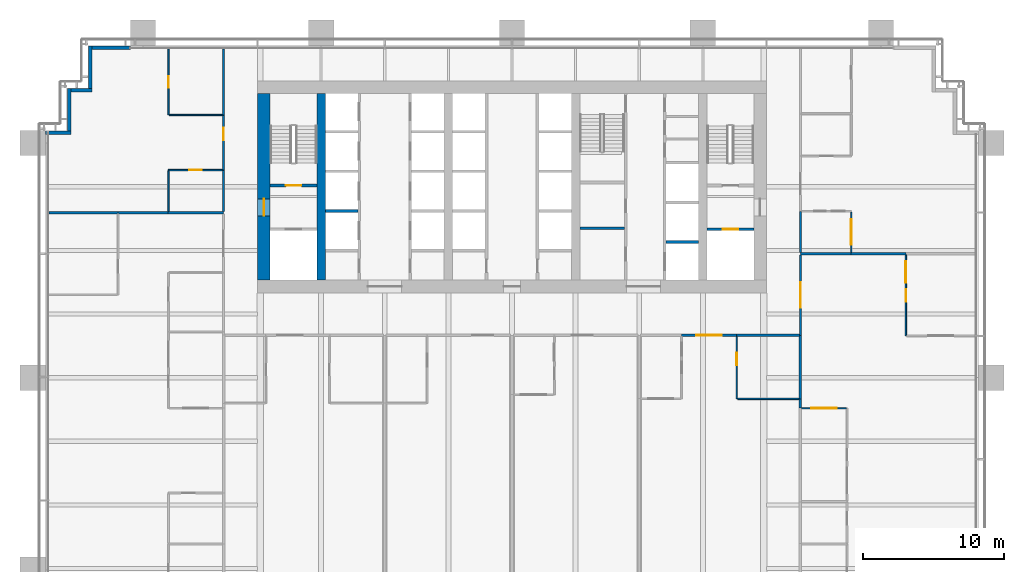
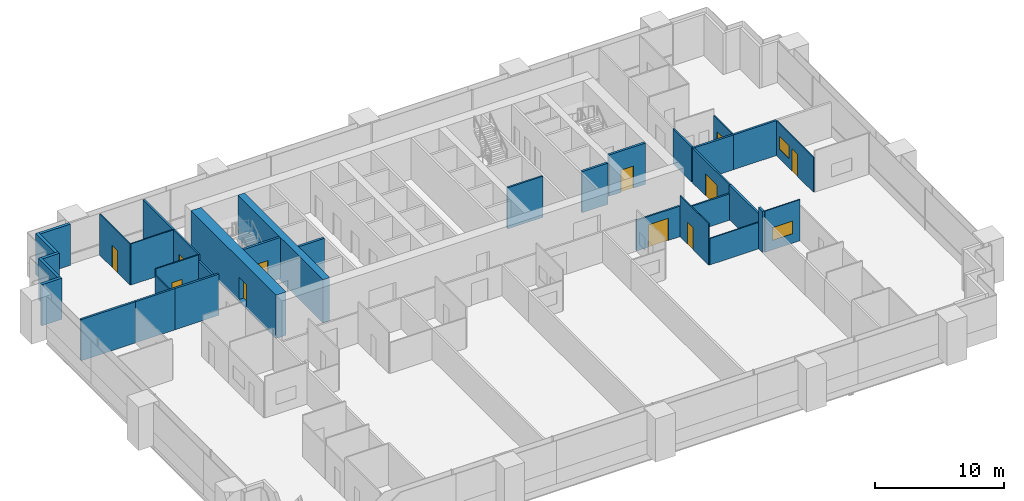
# One storey, part 13 of 20: 35 walls, 10 doors, 3 windows, 13 openings.
"""IFC4 building model written with IfcOpenShell, lengths in metres."""

from ifc_helpers import new_model, si_unit, direction, frame, frame_2d, origin, place, context, subcontext, project, spatial, rectangle, extrude, material, layer, layer_set, type_object, element, fill, save


model = new_model("IFC4")

# Units and contexts
model_context = context("Model", 3, precision=1e-05, world=origin(), true_north=direction((0.0, 1.0)))
body_context = subcontext(model_context, "Body", "Model", "MODEL_VIEW")
ifc_project = project(units=[si_unit("LENGTHUNIT", "METRE"), si_unit("AREAUNIT", "SQUARE_METRE"), si_unit("VOLUMEUNIT", "CUBIC_METRE"), si_unit("PLANEANGLEUNIT", "RADIAN"), si_unit("MASSUNIT", "GRAM", prefix="KILO")], contexts=[model_context])

# Site, building, storey
site_placement = place(None, origin())
site = spatial("IfcSite", under=ifc_project, at=site_placement, CompositionType="ELEMENT")
building_placement = place(site_placement, origin())
building = spatial("IfcBuilding", under=site, at=building_placement, Name="Rattan Terrace Tower", CompositionType="ELEMENT")
storey_placement = place(building_placement, frame((0.0, 0.0, 40.60009765625)))
storey = spatial("IfcBuildingStorey", under=building, at=storey_placement, Name="L08", CompositionType="ELEMENT", Elevation=40.60009765625)

# Wall
ifc_material_1 = material(Name="Gypsum board partition")
ifc_layer_1 = layer(ifc_material_1, 0.14990234375)
ifc_layer_set_1 = layer_set([ifc_layer_1], Name="Core partition 150")
wall_type_1 = type_object("IfcWallType", Name="Core partition 150", PredefinedType="PARTITIONING", material=ifc_layer_set_1)
wall_1_placement = place(storey_placement, frame((4.800048828125, -2.927978515625, 0.0), z_axis=(0.0, 0.0, 1.0), x_axis=(1.0, 0.0, 0.0)))
element("IfcWall", 1, at=wall_1_placement, inside=storey, type_object=wall_type_1, Name="Toilet wall", PredefinedType="PARTITIONING", context=body_context, shape_type="SweptSolid", body=[
    extrude(rectangle(XDim=3.14990234375, YDim=0.14990234375, at=frame_2d((1.574951171875, 0.0))), origin(), (0.0, 0.0, 1.0), 3.89990234375),
])

# Wall, opening, door
ifc_material_2 = material(Name="Gypsum board partition")
ifc_layer_2 = layer(ifc_material_2, 0.199951171875)
ifc_layer_set_2 = layer_set([ifc_layer_2], Name="Core partition 200")
wall_type_2 = type_object("IfcWallType", Name="Core partition 200", PredefinedType="PARTITIONING", material=ifc_layer_set_2)
wall_2_placement = place(storey_placement, frame((-17.10009765625, 0.10009765625, 0.0), z_axis=(0.0, 0.0, 1.0), x_axis=(1.0, 0.0, 0.0)))
wall_2 = element("IfcWall", 2, at=wall_2_placement, inside=storey, type_object=wall_type_2, Name="Stair enclosure wall", PredefinedType="PARTITIONING", context=body_context, shape_type="SweptSolid", body=[
    extrude(rectangle(XDim=3.300048828125, YDim=0.199951171875, at=frame_2d((1.64990234375, 0.0))), origin(), (0.0, 0.0, 1.0), 3.89990234375),
])
opening_1_placement = place(wall_2_placement, frame((1.10009765625, 0.0, 0.0)))
opening_1 = element("IfcOpeningElement", 3, at=opening_1_placement, cuts=wall_2, Name="Opening L08-D002", PredefinedType="OPENING", context=body_context, shape_type="SweptSolid", body=[
    extrude(rectangle(XDim=1.10009765625, YDim=2.10009765625, at=frame_2d((0.550048828125, 1.050048828125))), frame((0.0, 0.110595703125, 0.0), z_axis=(0.0, -1.0, 0.0), x_axis=(1.0, 0.0, 0.0)), (0.0, 0.0, 1.0), 0.220947265625),
])
ifc_material_3 = material(Name="Hollow-metal fire door leaf")
door_type_1 = type_object("IfcDoorType", Name="Core stair door 1100", OperationType="NOTDEFINED", PredefinedType="DOOR", material=ifc_material_3)
door_1_placement = place(opening_1_placement, origin())
door_1 = element("IfcDoor", 4, at=door_1_placement, inside=storey, type_object=door_type_1, Name="Door L08-D002", OperationType="SINGLE_SWING_LEFT", OverallHeight=2.10009765625, OverallWidth=1.10009765625, PredefinedType="DOOR", context=body_context, shape_type="SweptSolid", body=[
    extrude(rectangle(XDim=1.10009765625, YDim=2.10009765625, at=frame_2d((0.550048828125, 1.050048828125))), frame((0.0, 0.02490234375, 0.0), z_axis=(0.0, -1.0, 0.0), x_axis=(1.0, 0.0, 0.0)), (0.0, 0.0, 1.0), 0.050048828125),
])
fill(opening_1, door_1)

wall_3_placement = place(storey_placement, frame((13.800048828125, -3.0, 0.0), z_axis=(0.0, 0.0, 1.0), x_axis=(1.0, 0.0, 0.0)))
wall_3 = element("IfcWall", 5, at=wall_3_placement, inside=storey, type_object=wall_type_2, Name="Fire-fighting lobby wall", PredefinedType="PARTITIONING", context=body_context, shape_type="SweptSolid", body=[
    extrude(rectangle(XDim=3.300048828125, YDim=0.199951171875, at=frame_2d((1.64990234375, 0.0))), origin(), (0.0, 0.0, 1.0), 3.89990234375),
])
opening_2_placement = place(wall_3_placement, frame((1.10009765625, 0.0, 0.0)))
opening_2 = element("IfcOpeningElement", 6, at=opening_2_placement, cuts=wall_3, Name="Opening L08-LD-FF2", PredefinedType="OPENING", context=body_context, shape_type="SweptSolid", body=[
    extrude(rectangle(XDim=1.10009765625, YDim=2.10009765625, at=frame_2d((0.550048828125, 1.050048828125))), frame((0.0, 0.110595703125, 0.0), z_axis=(0.0, -1.0, 0.0), x_axis=(1.0, 0.0, 0.0)), (0.0, 0.0, 1.0), 0.220947265625),
])
ifc_material_4 = material(Name="Brushed stainless landing door panel")
door_type_2 = type_object("IfcDoorType", Name="Core lift landing door 1100", OperationType="DOUBLE_DOOR_SLIDING", PredefinedType="DOOR", material=ifc_material_4)
door_2_placement = place(opening_2_placement, origin())
door_2 = element("IfcDoor", 7, at=door_2_placement, inside=storey, type_object=door_type_2, Name="Door L08-LD-FF2", OperationType="DOUBLE_DOOR_SLIDING", OverallHeight=2.10009765625, OverallWidth=1.10009765625, PredefinedType="DOOR", context=body_context, shape_type="SweptSolid", body=[
    extrude(rectangle(XDim=1.10009765625, YDim=2.10009765625, at=frame_2d((0.550048828125, 1.050048828125))), frame((0.0, 0.02490234375, 0.0), z_axis=(0.0, -1.0, 0.0), x_axis=(1.0, 0.0, 0.0)), (0.0, 0.0, 1.0), 0.050048828125),
])
fill(opening_2, door_2)

ifc_material_5 = material(Name="Concrete C70/85", Category="concrete")
ifc_layer_3 = layer(ifc_material_5, 0.89990234375)
ifc_layer_set_3 = layer_set([ifc_layer_3], Name="Core ring wall 900 C70/85")
wall_type_3 = type_object("IfcWallType", Name="Core ring wall 900 C70/85", PredefinedType="SHEAR", material=ifc_layer_set_3)
wall_4_placement = place(storey_placement, frame((-17.550048828125, -6.60009765625, -0.2001953125), z_axis=(0.0, 0.0, 1.0), x_axis=(0.0, 1.0, 0.0)))
wall_4 = element("IfcWall", 8, at=wall_4_placement, inside=storey, type_object=wall_type_3, Name="Rear core wall west", PredefinedType="SHEAR", context=body_context, shape_type="SweptSolid", body=[
    extrude(rectangle(XDim=13.2001953125, YDim=0.89990234375, at=frame_2d((6.60009765625, 0.0))), origin(), (0.0, 0.0, 1.0), 4.10009765625),
])
opening_3_placement = place(wall_4_placement, frame((4.550048828125, 0.0, 0.199951171875)))
opening_3 = element("IfcOpeningElement", 9, at=opening_3_placement, cuts=wall_4, Name="Opening L08-D001", PredefinedType="OPENING", context=body_context, shape_type="SweptSolid", body=[
    extrude(rectangle(XDim=1.199951171875, YDim=2.10009765625, at=frame_2d((0.60009765625, 1.050048828125))), frame((0.0, 0.46044921875, 0.0), z_axis=(0.0, -1.0, 0.0), x_axis=(1.0, 0.0, 0.0)), (0.0, 0.0, 1.0), 0.9208984375),
])
ifc_material_6 = material(Name="Hollow-metal fire door leaf")
door_type_3 = type_object("IfcDoorType", Name="Core fire-fighting lobby door 1200", OperationType="NOTDEFINED", PredefinedType="DOOR", material=ifc_material_6)
door_3_placement = place(opening_3_placement, origin())
door_3 = element("IfcDoor", 10, at=door_3_placement, inside=storey, type_object=door_type_3, Name="Door L08-D001", OperationType="SINGLE_SWING_RIGHT", OverallHeight=2.10009765625, OverallWidth=1.199951171875, PredefinedType="DOOR", context=body_context, shape_type="SweptSolid", body=[
    extrude(rectangle(XDim=1.199951171875, YDim=2.10009765625, at=frame_2d((0.60009765625, 1.050048828125))), frame((0.0, 0.02490234375, 0.0), z_axis=(0.0, -1.0, 0.0), x_axis=(1.0, 0.0, 0.0)), (0.0, 0.0, 1.0), 0.050048828125),
])
fill(opening_3, door_3)

# Walls
ifc_material_7 = material(Name="Concrete C70/85", Category="concrete")
ifc_layer_4 = layer(ifc_material_7, 0.60009765625)
ifc_layer_set_4 = layer_set([ifc_layer_4], Name="Core spine wall 600 C70/85")
wall_type_4 = type_object("IfcWallType", Name="Core spine wall 600 C70/85", PredefinedType="SHEAR", material=ifc_layer_set_4)
wall_5_placement = place(storey_placement, frame((-13.5, -6.60009765625, -0.2001953125), z_axis=(0.0, 0.0, 1.0), x_axis=(0.0, 1.0, 0.0)))
element("IfcWall", 11, at=wall_5_placement, inside=storey, type_object=wall_type_4, Name="Core spine wall 1", PredefinedType="SHEAR", context=body_context, shape_type="SweptSolid", body=[
    extrude(rectangle(XDim=13.2001953125, YDim=0.60009765625, at=frame_2d((6.60009765625, 0.0))), origin(), (0.0, 0.0, 1.0), 4.10009765625),
])
ifc_material_8 = material(Name="Insulated aluminium-clad stud wall", Category="aluminium")
ifc_layer_5 = layer(ifc_material_8, 0.25)
ifc_layer_set_5 = layer_set([ifc_layer_5], Name="Facade Riser Wall 250")
wall_type_5 = type_object("IfcWallType", Name="Facade Riser Wall 250", PredefinedType="SOLIDWALL", material=ifc_layer_set_5)
wall_6_placement = place(storey_placement, frame((-27.0, 9.830078125, 0.0), z_axis=(0.0, 0.0, 1.0), x_axis=(-1.0, 0.0, 0.0)))
element("IfcWall", 12, at=wall_6_placement, inside=storey, type_object=wall_type_5, Name="Riser wall L08-11", PredefinedType="SOLIDWALL", context=body_context, shape_type="SweptSolid", body=[
    extrude(rectangle(XDim=2.705078125, YDim=0.25, at=frame_2d((1.3525390625, 0.0))), origin(), (0.0, 0.0, 1.0), 3.89990234375),
])
wall_7_placement = place(storey_placement, frame((-29.830078125, 9.955078125, 0.0), z_axis=(0.0, 0.0, 1.0), x_axis=(0.0, -1.0, 0.0)))
element("IfcWall", 13, at=wall_7_placement, inside=storey, type_object=wall_type_5, Name="Riser wall L08-12", PredefinedType="SOLIDWALL", context=body_context, shape_type="SweptSolid", body=[
    extrude(rectangle(XDim=3.0, YDim=0.25, at=frame_2d((1.5, 0.0))), origin(), (0.0, 0.0, 1.0), 3.89990234375),
])
wall_8_placement = place(storey_placement, frame((-29.705078125, 6.830078125, 0.0), z_axis=(0.0, 0.0, 1.0), x_axis=(-1.0, 0.0, 0.0)))
element("IfcWall", 14, at=wall_8_placement, inside=storey, type_object=wall_type_5, Name="Riser wall L08-13", PredefinedType="SOLIDWALL", context=body_context, shape_type="SweptSolid", body=[
    extrude(rectangle(XDim=1.5, YDim=0.25, at=frame_2d((0.75, 0.0))), origin(), (0.0, 0.0, 1.0), 3.89990234375),
])
wall_9_placement = place(storey_placement, frame((-31.330078125, 6.955078125, 0.0), z_axis=(0.0, 0.0, 1.0), x_axis=(0.0, -1.0, 0.0)))
element("IfcWall", 15, at=wall_9_placement, inside=storey, type_object=wall_type_5, Name="Riser wall L08-14", PredefinedType="SOLIDWALL", context=body_context, shape_type="SweptSolid", body=[
    extrude(rectangle(XDim=3.0, YDim=0.25, at=frame_2d((1.5, 0.0))), origin(), (0.0, 0.0, 1.0), 3.89990234375),
])
wall_10_placement = place(storey_placement, frame((-31.205078125, 3.830078125, 0.0), z_axis=(0.0, 0.0, 1.0), x_axis=(-1.0, 0.0, 0.0)))
element("IfcWall", 16, at=wall_10_placement, inside=storey, type_object=wall_type_5, Name="Riser wall L08-15", PredefinedType="SOLIDWALL", context=body_context, shape_type="SweptSolid", body=[
    extrude(rectangle(XDim=1.7998046875, YDim=0.25, at=frame_2d((0.89990234375, 0.0))), origin(), (0.0, 0.0, 1.0), 3.89990234375),
])
ifc_material_9 = material(Name="Double steel stud acoustic partition, gypsum board, mineral wool, fire rated", Category="steel")
ifc_layer_6 = layer(ifc_material_9, 0.179931640625)
ifc_layer_set_6 = layer_set([ifc_layer_6], Name="Floors Acoustic Party Wall 180")
wall_type_6 = type_object("IfcWallType", Name="Floors Acoustic Party Wall 180", PredefinedType="PARTITIONING", material=ifc_layer_set_6)
wall_11_placement = place(storey_placement, frame((-27.860107421875, -1.818115234375, 0.0), z_axis=(0.0, 0.0, 1.0), x_axis=(1.0, 0.0, 0.0)))
element("IfcWall", 17, at=wall_11_placement, inside=storey, type_object=wall_type_6, Name="pt-L08-032", PredefinedType="PARTITIONING", context=body_context, shape_type="SweptSolid", body=[
    extrude(rectangle(XDim=3.5400390625, YDim=0.179931640625, at=frame_2d((1.77001953125, 0.0))), origin(), (0.0, 0.0, 1.0), 3.89990234375),
])
wall_12_placement = place(storey_placement, frame((-24.320068359375, -1.818115234375, 0.0), z_axis=(0.0, 0.0, 1.0), x_axis=(1.0, 0.0, 0.0)))
element("IfcWall", 18, at=wall_12_placement, inside=storey, type_object=wall_type_6, Name="pt-L08-033", PredefinedType="PARTITIONING", context=body_context, shape_type="SweptSolid", body=[
    extrude(rectangle(XDim=3.920166015625, YDim=0.179931640625, at=frame_2d((1.9599609375, 0.0))), origin(), (0.0, 0.0, 1.0), 3.89990234375),
])
wall_13_placement = place(storey_placement, frame((-32.739990234375, -1.818115234375, 0.0), z_axis=(0.0, 0.0, 1.0), x_axis=(1.0, 0.0, 0.0)))
element("IfcWall", 19, at=wall_13_placement, inside=storey, type_object=wall_type_6, Name="pt-L08-035", PredefinedType="PARTITIONING", context=body_context, shape_type="SweptSolid", body=[
    extrude(rectangle(XDim=4.8798828125, YDim=0.179931640625, at=frame_2d((2.43994140625, 0.0))), origin(), (0.0, 0.0, 1.0), 3.89990234375),
])
wall_14_placement = place(storey_placement, frame((20.39990234375, -15.0, 0.0), z_axis=(0.0, 0.0, 1.0), x_axis=(0.0, -1.0, 0.0)))
element("IfcWall", 20, at=wall_14_placement, inside=storey, type_object=wall_type_6, Name="pt-L08-066", PredefinedType="PARTITIONING", context=body_context, shape_type="SweptSolid", body=[
    extrude(rectangle(XDim=0.639892578125, YDim=0.179931640625, at=frame_2d((0.31982421875, 0.0))), origin(), (0.0, 0.0, 1.0), 3.89990234375),
])
wall_15_placement = place(storey_placement, frame((20.39990234375, -10.5, 0.0), z_axis=(0.0, 0.0, 1.0), x_axis=(0.0, -1.0, 0.0)))
element("IfcWall", 21, at=wall_15_placement, inside=storey, type_object=wall_type_6, Name="pt-L08-071", PredefinedType="PARTITIONING", context=body_context, shape_type="SweptSolid", body=[
    extrude(rectangle(XDim=4.5, YDim=0.179931640625, at=frame_2d((2.25, 0.0))), origin(), (0.0, 0.0, 1.0), 3.2998046875),
])
wall_16_placement = place(storey_placement, frame((23.97998046875, -4.72705078125, 0.0), z_axis=(0.0, 0.0, 1.0), x_axis=(1.0, 0.0, 0.0)))
element("IfcWall", 22, at=wall_16_placement, inside=storey, type_object=wall_type_6, Name="pt-L08-079", PredefinedType="PARTITIONING", context=body_context, shape_type="SweptSolid", body=[
    extrude(rectangle(XDim=3.880126953125, YDim=0.179931640625, at=frame_2d((1.93994140625, 0.0))), origin(), (0.0, 0.0, 1.0), 3.2998046875),
])
wall_17_placement = place(storey_placement, frame((20.39990234375, -4.72705078125, 0.0), z_axis=(0.0, 0.0, 1.0), x_axis=(1.0, 0.0, 0.0)))
element("IfcWall", 23, at=wall_17_placement, inside=storey, type_object=wall_type_6, Name="pt-L08-080", PredefinedType="PARTITIONING", context=body_context, shape_type="SweptSolid", body=[
    extrude(rectangle(XDim=3.580078125, YDim=0.179931640625, at=frame_2d((1.7900390625, 0.0))), origin(), (0.0, 0.0, 1.0), 3.2998046875),
])
ifc_material_10 = material(Name="Gypsum board partition on steel studs", Category="steel")
ifc_layer_7 = layer(ifc_material_10, 0.10009765625)
ifc_layer_set_7 = layer_set([ifc_layer_7], Name="Floors Partition 100")
wall_type_7 = type_object("IfcWallType", Name="Floors Partition 100", PredefinedType="PARTITIONING", material=ifc_layer_set_7)
wall_18_placement = place(storey_placement, frame((-24.300048828125, 1.132080078125, 0.0), z_axis=(0.0, 0.0, 1.0), x_axis=(0.0, -1.0, 0.0)))
element("IfcWall", 24, at=wall_18_placement, inside=storey, type_object=wall_type_7, Name="pt-L08-044", PredefinedType="PARTITIONING", context=body_context, shape_type="SweptSolid", body=[
    extrude(rectangle(XDim=2.860107421875, YDim=0.10009765625, at=frame_2d((1.43017578125, 0.0))), origin(), (0.0, 0.0, 1.0), 3.2998046875),
])

# Wall, opening, door
wall_19_placement = place(storey_placement, frame((-20.47509765625, 1.181884765625, 0.0), z_axis=(0.0, 0.0, 1.0), x_axis=(-1.0, 0.0, 0.0)))
wall_19 = element("IfcWall", 25, at=wall_19_placement, inside=storey, type_object=wall_type_7, Name="pt-L08-045", PredefinedType="PARTITIONING", context=body_context, shape_type="SweptSolid", body=[
    extrude(rectangle(XDim=3.824951171875, YDim=0.10009765625, at=frame_2d((1.91259765625, 0.0))), origin(), (0.0, 0.0, 1.0), 3.89990234375),
])
opening_4_placement = place(wall_19_placement, frame((1.4619140625, 0.0, 0.0)))
opening_4 = element("IfcOpeningElement", 26, at=opening_4_placement, cuts=wall_19, Name="Opening L08-D108", PredefinedType="OPENING", context=body_context, shape_type="SweptSolid", body=[
    extrude(rectangle(XDim=0.89990234375, YDim=2.10009765625, at=frame_2d((0.449951171875, 1.050048828125))), frame((0.0, 0.060546875, 0.0), z_axis=(0.0, -1.0, 0.0), x_axis=(1.0, 0.0, 0.0)), (0.0, 0.0, 1.0), 0.12109375),
])
ifc_material_11 = material(Name="Solid core timber door, painted", Category="wood")
door_type_4 = type_object("IfcDoorType", Name="Floors Door 900x2100", OperationType="NOTDEFINED", PredefinedType="DOOR", material=ifc_material_11)
door_4_placement = place(opening_4_placement, origin())
door_4 = element("IfcDoor", 27, at=door_4_placement, inside=storey, type_object=door_type_4, Name="d-L08-108", OperationType="SINGLE_SWING_LEFT", OverallHeight=2.10009765625, OverallWidth=0.89990234375, PredefinedType="DOOR", context=body_context, shape_type="SweptSolid", body=[
    extrude(rectangle(XDim=0.89990234375, YDim=2.10009765625, at=frame_2d((0.449951171875, 1.050048828125))), frame((0.0, 0.02490234375, 0.0), z_axis=(0.0, -1.0, 0.0), x_axis=(1.0, 0.0, 0.0)), (0.0, 0.0, 1.0), 0.050048828125),
])
fill(opening_4, door_4)

wall_20_placement = place(storey_placement, frame((-24.300048828125, 9.739990234375, 0.0), z_axis=(0.0, 0.0, 1.0), x_axis=(0.0, -1.0, 0.0)))
wall_20 = element("IfcWall", 28, at=wall_20_placement, inside=storey, type_object=wall_type_7, Name="pt-L08-046", PredefinedType="PARTITIONING", context=body_context, shape_type="SweptSolid", body=[
    extrude(rectangle(XDim=4.657958984375, YDim=0.10009765625, at=frame_2d((2.3291015625, 0.0))), origin(), (0.0, 0.0, 1.0), 3.89990234375),
])
opening_5_placement = place(wall_20_placement, frame((1.928955078125, 0.0, 0.0)))
opening_5 = element("IfcOpeningElement", 29, at=opening_5_placement, cuts=wall_20, Name="Opening L08-D109", PredefinedType="OPENING", context=body_context, shape_type="SweptSolid", body=[
    extrude(rectangle(XDim=0.800048828125, YDim=2.10009765625, at=frame_2d((0.39990234375, 1.050048828125))), frame((0.0, 0.060546875, 0.0), z_axis=(0.0, -1.0, 0.0), x_axis=(1.0, 0.0, 0.0)), (0.0, 0.0, 1.0), 0.12109375),
])
ifc_material_12 = material(Name="Solid core timber door, painted", Category="wood")
door_type_5 = type_object("IfcDoorType", Name="Floors Store Door 800x2100", OperationType="NOTDEFINED", PredefinedType="DOOR", material=ifc_material_12)
door_5_placement = place(opening_5_placement, origin())
door_5 = element("IfcDoor", 30, at=door_5_placement, inside=storey, type_object=door_type_5, Name="d-L08-109", OperationType="SINGLE_SWING_RIGHT", OverallHeight=2.10009765625, OverallWidth=0.800048828125, PredefinedType="DOOR", context=body_context, shape_type="SweptSolid", body=[
    extrude(rectangle(XDim=0.800048828125, YDim=2.10009765625, at=frame_2d((0.39990234375, 1.050048828125))), frame((0.0, 0.02490234375, 0.0), z_axis=(0.0, -1.0, 0.0), x_axis=(1.0, 0.0, 0.0)), (0.0, 0.0, 1.0), 0.050048828125),
])
fill(opening_5, door_5)

# Wall
wall_21_placement = place(storey_placement, frame((-24.25, 5.08203125, 0.0), z_axis=(0.0, 0.0, 1.0), x_axis=(1.0, 0.0, 0.0)))
element("IfcWall", 31, at=wall_21_placement, inside=storey, type_object=wall_type_7, Name="pt-L08-047", PredefinedType="PARTITIONING", context=body_context, shape_type="SweptSolid", body=[
    extrude(rectangle(XDim=3.77490234375, YDim=0.10009765625, at=frame_2d((1.887451171875, 0.0))), origin(), (0.0, 0.0, 1.0), 3.89990234375),
])

# Wall, opening, door
wall_22_placement = place(storey_placement, frame((15.89990234375, -10.574951171875, 0.0), z_axis=(0.0, 0.0, 1.0), x_axis=(0.0, -1.0, 0.0)))
wall_22 = element("IfcWall", 32, at=wall_22_placement, inside=storey, type_object=wall_type_7, Name="pt-L08-064", PredefinedType="PARTITIONING", context=body_context, shape_type="SweptSolid", body=[
    extrude(rectangle(XDim=4.425048828125, YDim=0.10009765625, at=frame_2d((2.21240234375, 0.0))), origin(), (0.0, 0.0, 1.0), 3.89990234375),
])
opening_6_placement = place(wall_22_placement, frame((1.157958984375, 0.0, 0.0)))
opening_6 = element("IfcOpeningElement", 33, at=opening_6_placement, cuts=wall_22, Name="Opening L08-D119", PredefinedType="OPENING", context=body_context, shape_type="SweptSolid", body=[
    extrude(rectangle(XDim=0.89990234375, YDim=2.10009765625, at=frame_2d((0.449951171875, 1.050048828125))), frame((0.0, 0.060546875, 0.0), z_axis=(0.0, -1.0, 0.0), x_axis=(1.0, 0.0, 0.0)), (0.0, 0.0, 1.0), 0.12109375),
])
door_6_placement = place(opening_6_placement, origin())
door_6 = element("IfcDoor", 34, at=door_6_placement, inside=storey, type_object=door_type_4, Name="d-L08-119", OperationType="SINGLE_SWING_LEFT", OverallHeight=2.10009765625, OverallWidth=0.89990234375, PredefinedType="DOOR", context=body_context, shape_type="SweptSolid", body=[
    extrude(rectangle(XDim=0.89990234375, YDim=2.10009765625, at=frame_2d((0.449951171875, 1.050048828125))), frame((0.0, 0.02490234375, 0.0), z_axis=(0.0, -1.0, 0.0), x_axis=(1.0, 0.0, 0.0)), (0.0, 0.0, 1.0), 0.050048828125),
])
fill(opening_6, door_6)

# Wall
wall_23_placement = place(storey_placement, frame((15.949951171875, -15.0, 0.0), z_axis=(0.0, 0.0, 1.0), x_axis=(1.0, 0.0, 0.0)))
element("IfcWall", 35, at=wall_23_placement, inside=storey, type_object=wall_type_7, Name="pt-L08-065", PredefinedType="PARTITIONING", context=body_context, shape_type="SweptSolid", body=[
    extrude(rectangle(XDim=4.360107421875, YDim=0.10009765625, at=frame_2d((2.18017578125, 0.0))), origin(), (0.0, 0.0, 1.0), 2.5),
])

# Wall, openings, door, window
wall_24_placement = place(storey_placement, frame((27.860107421875, -4.81689453125, 0.0), z_axis=(0.0, 0.0, 1.0), x_axis=(0.0, -1.0, 0.0)))
wall_24 = element("IfcWall", 36, at=wall_24_placement, inside=storey, type_object=wall_type_7, Name="pt-L08-072", PredefinedType="PARTITIONING", context=body_context, shape_type="SweptSolid", body=[
    extrude(rectangle(XDim=5.72802734375, YDim=0.10009765625, at=frame_2d((2.864013671875, 0.0))), origin(), (0.0, 0.0, 1.0), 3.2998046875),
])
opening_7_placement = place(wall_24_placement, frame((2.4140625, 0.0, 0.0)))
opening_7 = element("IfcOpeningElement", 37, at=opening_7_placement, cuts=wall_24, Name="Opening L08-D121", PredefinedType="OPENING", context=body_context, shape_type="SweptSolid", body=[
    extrude(rectangle(XDim=0.89990234375, YDim=2.10009765625, at=frame_2d((0.449951171875, 1.050048828125))), frame((0.0, 0.060546875, 0.0), z_axis=(0.0, -1.0, 0.0), x_axis=(1.0, 0.0, 0.0)), (0.0, 0.0, 1.0), 0.12109375),
])
opening_8_placement = place(wall_24_placement, frame((0.45703125, 0.0, 0.89990234375)))
opening_8 = element("IfcOpeningElement", 38, at=opening_8_placement, cuts=wall_24, Name="Opening L08-W106", PredefinedType="OPENING", context=body_context, shape_type="SweptSolid", body=[
    extrude(rectangle(XDim=1.5, YDim=1.199951171875, at=frame_2d((0.75, 0.60009765625))), frame((0.0, 0.060546875, 0.0), z_axis=(0.0, -1.0, 0.0), x_axis=(1.0, 0.0, 0.0)), (0.0, 0.0, 1.0), 0.12109375),
])
door_7_placement = place(opening_7_placement, origin())
door_7 = element("IfcDoor", 39, at=door_7_placement, inside=storey, type_object=door_type_4, Name="d-L08-121", OperationType="SINGLE_SWING_RIGHT", OverallHeight=2.10009765625, OverallWidth=0.89990234375, PredefinedType="DOOR", context=body_context, shape_type="SweptSolid", body=[
    extrude(rectangle(XDim=0.89990234375, YDim=2.10009765625, at=frame_2d((0.449951171875, 1.050048828125))), frame((0.0, 0.02490234375, 0.0), z_axis=(0.0, -1.0, 0.0), x_axis=(1.0, 0.0, 0.0)), (0.0, 0.0, 1.0), 0.050048828125),
])
fill(opening_7, door_7)
ifc_material_13 = material(Name="Glass, clear, fixed in aluminium frame", Category="aluminium")
window_type_1 = type_object("IfcWindowType", Name="Interior Vision Window 1500x1200", PartitioningType="SINGLE_PANEL", PredefinedType="WINDOW", material=ifc_material_13)
window_1_placement = place(opening_8_placement, origin())
window_1 = element("IfcWindow", 40, at=window_1_placement, inside=storey, type_object=window_type_1, Name="w-L08-106", OverallHeight=1.199951171875, OverallWidth=1.5, PartitioningType="SINGLE_PANEL", PredefinedType="WINDOW", context=body_context, shape_type="SweptSolid", body=[
    extrude(rectangle(XDim=1.5, YDim=1.199951171875, at=frame_2d((0.75, 0.60009765625))), frame((0.0, 0.030029296875, 0.0), z_axis=(0.0, -1.0, 0.0), x_axis=(1.0, 0.0, 0.0)), (0.0, 0.0, 1.0), 0.06005859375),
])
fill(opening_8, window_1)

# Wall, opening, window
wall_25_placement = place(storey_placement, frame((23.64990234375, -15.659912109375, 0.0), z_axis=(0.0, 0.0, 1.0), x_axis=(-1.0, 0.0, 0.0)))
wall_25 = element("IfcWall", 41, at=wall_25_placement, inside=storey, type_object=wall_type_7, Name="pt-L08-077", PredefinedType="PARTITIONING", context=body_context, shape_type="SweptSolid", body=[
    extrude(rectangle(XDim=3.159912109375, YDim=0.10009765625, at=frame_2d((1.580078125, 0.0))), origin(), (0.0, 0.0, 1.0), 3.89990234375),
])
opening_9_placement = place(wall_25_placement, frame((0.679931640625, 0.0, 0.89990234375)))
opening_9 = element("IfcOpeningElement", 42, at=opening_9_placement, cuts=wall_25, Name="Opening L08-W108", PredefinedType="OPENING", context=body_context, shape_type="SweptSolid", body=[
    extrude(rectangle(XDim=1.800048828125, YDim=1.199951171875, at=frame_2d((0.89990234375, 0.60009765625))), frame((0.0, 0.060546875, 0.0), z_axis=(0.0, -1.0, 0.0), x_axis=(1.0, 0.0, 0.0)), (0.0, 0.0, 1.0), 0.12109375),
])
ifc_material_14 = material(Name="Glass, clear, fixed in aluminium frame", Category="aluminium")
window_type_2 = type_object("IfcWindowType", Name="Interior Vision Window 1800x1200", PartitioningType="SINGLE_PANEL", PredefinedType="WINDOW", material=ifc_material_14)
window_2_placement = place(opening_9_placement, origin())
window_2 = element("IfcWindow", 43, at=window_2_placement, inside=storey, type_object=window_type_2, Name="w-L08-108", OverallHeight=1.199951171875, OverallWidth=1.800048828125, PartitioningType="SINGLE_PANEL", PredefinedType="WINDOW", context=body_context, shape_type="SweptSolid", body=[
    extrude(rectangle(XDim=1.800048828125, YDim=1.199951171875, at=frame_2d((0.89990234375, 0.60009765625))), frame((0.0, 0.030029296875, 0.0), z_axis=(0.0, -1.0, 0.0), x_axis=(1.0, 0.0, 0.0)), (0.0, 0.0, 1.0), 0.06005859375),
])
fill(opening_9, window_2)

wall_26_placement = place(storey_placement, frame((24.0, -4.636962890625, 0.0), z_axis=(0.0, 0.0, 1.0), x_axis=(0.0, 1.0, 0.0)))
wall_26 = element("IfcWall", 44, at=wall_26_placement, inside=storey, type_object=wall_type_7, Name="pt-L08-086", PredefinedType="PARTITIONING", context=body_context, shape_type="SweptSolid", body=[
    extrude(rectangle(XDim=2.85986328125, YDim=0.10009765625, at=frame_2d((1.429931640625, 0.0))), origin(), (0.0, 0.0, 1.0), 3.2998046875),
])
opening_10_placement = place(wall_26_placement, frame((0.530029296875, 0.0, 0.89990234375)))
opening_10 = element("IfcOpeningElement", 45, at=opening_10_placement, cuts=wall_26, Name="Opening L08-W111", PredefinedType="OPENING", context=body_context, shape_type="SweptSolid", body=[
    extrude(rectangle(XDim=1.800048828125, YDim=1.199951171875, at=frame_2d((0.89990234375, 0.60009765625))), frame((0.0, 0.060546875, 0.0), z_axis=(0.0, -1.0, 0.0), x_axis=(1.0, 0.0, 0.0)), (0.0, 0.0, 1.0), 0.12109375),
])
window_3_placement = place(opening_10_placement, origin())
window_3 = element("IfcWindow", 46, at=window_3_placement, inside=storey, type_object=window_type_2, Name="w-L08-111", OverallHeight=1.199951171875, OverallWidth=1.800048828125, PartitioningType="SINGLE_PANEL", PredefinedType="WINDOW", context=body_context, shape_type="SweptSolid", body=[
    extrude(rectangle(XDim=1.800048828125, YDim=1.199951171875, at=frame_2d((0.89990234375, 0.60009765625))), frame((0.0, 0.030029296875, 0.0), z_axis=(0.0, -1.0, 0.0), x_axis=(1.0, 0.0, 0.0)), (0.0, 0.0, 1.0), 0.06005859375),
])
fill(opening_10, window_3)

# Wall, opening, door
ifc_material_15 = material(Name="Gypsum board partition on steel studs, fire rated", Category="steel")
ifc_layer_8 = layer(ifc_material_15, 0.14990234375)
ifc_layer_set_8 = layer_set([ifc_layer_8], Name="Floors Tenancy Wall 150")
wall_type_8 = type_object("IfcWallType", Name="Floors Tenancy Wall 150", PredefinedType="PARTITIONING", material=ifc_layer_set_8)
wall_27_placement = place(storey_placement, frame((-20.39990234375, 1.162109375, 0.0), z_axis=(0.0, 0.0, 1.0), x_axis=(0.0, 1.0, 0.0)))
wall_27 = element("IfcWall", 47, at=wall_27_placement, inside=storey, type_object=wall_type_8, Name="pt-L08-004", PredefinedType="PARTITIONING", context=body_context, shape_type="SweptSolid", body=[
    extrude(rectangle(XDim=3.89990234375, YDim=0.14990234375, at=frame_2d((1.949951171875, 0.0))), origin(), (0.0, 0.0, 1.0), 3.89990234375),
])
opening_11_placement = place(wall_27_placement, frame((2.125, 0.0, 0.0)))
opening_11 = element("IfcOpeningElement", 48, at=opening_11_placement, cuts=wall_27, Name="Opening L08-D107", PredefinedType="OPENING", context=body_context, shape_type="SweptSolid", body=[
    extrude(rectangle(XDim=0.89990234375, YDim=2.10009765625, at=frame_2d((0.449951171875, 1.050048828125))), frame((0.0, 0.08544921875, 0.0), z_axis=(0.0, -1.0, 0.0), x_axis=(1.0, 0.0, 0.0)), (0.0, 0.0, 1.0), 0.1708984375),
])
ifc_material_16 = material(Name="Steel fire door set", Category="steel")
door_type_6 = type_object("IfcDoorType", Name="Floors Fire Door FD30S 900x2100", OperationType="NOTDEFINED", PredefinedType="DOOR", material=ifc_material_16)
door_8_placement = place(opening_11_placement, origin())
door_8 = element("IfcDoor", 49, at=door_8_placement, inside=storey, type_object=door_type_6, Name="d-L08-107", OperationType="SINGLE_SWING_RIGHT", OverallHeight=2.10009765625, OverallWidth=0.89990234375, PredefinedType="DOOR", context=body_context, shape_type="SweptSolid", body=[
    extrude(rectangle(XDim=0.89990234375, YDim=2.10009765625, at=frame_2d((0.449951171875, 1.050048828125))), frame((0.0, 0.02490234375, 0.0), z_axis=(0.0, -1.0, 0.0), x_axis=(1.0, 0.0, 0.0)), (0.0, 0.0, 1.0), 0.050048828125),
])
fill(opening_11, door_8)

# Walls
wall_28_placement = place(storey_placement, frame((-20.39990234375, -1.72802734375, 0.0), z_axis=(0.0, 0.0, 1.0), x_axis=(0.0, 1.0, 0.0)))
element("IfcWall", 50, at=wall_28_placement, inside=storey, type_object=wall_type_8, Name="pt-L08-005", PredefinedType="PARTITIONING", context=body_context, shape_type="SweptSolid", body=[
    extrude(rectangle(XDim=2.89013671875, YDim=0.14990234375, at=frame_2d((1.445068359375, 0.0))), origin(), (0.0, 0.0, 1.0), 3.2998046875),
])
wall_29_placement = place(storey_placement, frame((-20.39990234375, 5.06201171875, 0.0), z_axis=(0.0, 0.0, 1.0), x_axis=(0.0, 1.0, 0.0)))
element("IfcWall", 51, at=wall_29_placement, inside=storey, type_object=wall_type_8, Name="pt-L08-006", PredefinedType="PARTITIONING", context=body_context, shape_type="SweptSolid", body=[
    extrude(rectangle(XDim=4.677978515625, YDim=0.14990234375, at=frame_2d((2.3388671875, 0.0))), origin(), (0.0, 0.0, 1.0), 3.89990234375),
])

# Wall, opening, door
wall_30_placement = place(storey_placement, frame((15.8798828125, -10.5, 0.0), z_axis=(0.0, 0.0, 1.0), x_axis=(-1.0, 0.0, 0.0)))
wall_30 = element("IfcWall", 52, at=wall_30_placement, inside=storey, type_object=wall_type_8, Name="pt-L08-014", PredefinedType="PARTITIONING", context=body_context, shape_type="SweptSolid", body=[
    extrude(rectangle(XDim=3.89990234375, YDim=0.14990234375, at=frame_2d((1.949951171875, 0.0))), origin(), (0.0, 0.0, 1.0), 2.89990234375),
])
opening_12_placement = place(wall_30_placement, frame((1.050048828125, 0.0, 0.0)))
opening_12 = element("IfcOpeningElement", 53, at=opening_12_placement, cuts=wall_30, Name="Opening L08-D117", PredefinedType="OPENING", context=body_context, shape_type="SweptSolid", body=[
    extrude(rectangle(XDim=1.800048828125, YDim=2.10009765625, at=frame_2d((0.89990234375, 1.050048828125))), frame((0.0, 0.08544921875, 0.0), z_axis=(0.0, -1.0, 0.0), x_axis=(1.0, 0.0, 0.0)), (0.0, 0.0, 1.0), 0.1708984375),
])
ifc_material_17 = material(Name="Steel fire door set", Category="steel")
door_type_7 = type_object("IfcDoorType", Name="Floors Fire Door Pair FD30S 1800x2100", OperationType="NOTDEFINED", PredefinedType="DOOR", material=ifc_material_17)
door_9_placement = place(opening_12_placement, origin())
door_9 = element("IfcDoor", 54, at=door_9_placement, inside=storey, type_object=door_type_7, Name="d-L08-117", OperationType="DOUBLE_DOOR_SINGLE_SWING", OverallHeight=2.10009765625, OverallWidth=1.800048828125, PredefinedType="DOOR", context=body_context, shape_type="SweptSolid", body=[
    extrude(rectangle(XDim=1.800048828125, YDim=2.10009765625, at=frame_2d((0.89990234375, 1.050048828125))), frame((0.0, 0.02490234375, 0.0), z_axis=(0.0, -1.0, 0.0), x_axis=(1.0, 0.0, 0.0)), (0.0, 0.0, 1.0), 0.050048828125),
])
fill(opening_12, door_9)

# Wall
wall_31_placement = place(storey_placement, frame((20.324951171875, -10.5, 0.0), z_axis=(0.0, 0.0, 1.0), x_axis=(-1.0, 0.0, 0.0)))
element("IfcWall", 55, at=wall_31_placement, inside=storey, type_object=wall_type_8, Name="pt-L08-016", PredefinedType="PARTITIONING", context=body_context, shape_type="SweptSolid", body=[
    extrude(rectangle(XDim=4.445068359375, YDim=0.14990234375, at=frame_2d((2.22265625, 0.0))), origin(), (0.0, 0.0, 1.0), 2.5),
])

# Wall, opening, door
wall_32_placement = place(storey_placement, frame((20.39990234375, -4.81689453125, 0.0), z_axis=(0.0, 0.0, 1.0), x_axis=(0.0, -1.0, 0.0)))
wall_32 = element("IfcWall", 56, at=wall_32_placement, inside=storey, type_object=wall_type_8, Name="pt-L08-017", PredefinedType="PARTITIONING", context=body_context, shape_type="SweptSolid", body=[
    extrude(rectangle(XDim=5.68310546875, YDim=0.14990234375, at=frame_2d((2.841552734375, 0.0))), origin(), (0.0, 0.0, 1.0), 3.2998046875),
])
opening_13_placement = place(wall_32_placement, frame((1.94189453125, 0.0, 0.0)))
opening_13 = element("IfcOpeningElement", 57, at=opening_13_placement, cuts=wall_32, Name="Opening L08-D120", PredefinedType="OPENING", context=body_context, shape_type="SweptSolid", body=[
    extrude(rectangle(XDim=1.800048828125, YDim=2.10009765625, at=frame_2d((0.89990234375, 1.050048828125))), frame((0.0, 0.08544921875, 0.0), z_axis=(0.0, -1.0, 0.0), x_axis=(1.0, 0.0, 0.0)), (0.0, 0.0, 1.0), 0.1708984375),
])
door_10_placement = place(opening_13_placement, origin())
door_10 = element("IfcDoor", 58, at=door_10_placement, inside=storey, type_object=door_type_7, Name="d-L08-120", OperationType="DOUBLE_DOOR_SINGLE_SWING", OverallHeight=2.10009765625, OverallWidth=1.800048828125, PredefinedType="DOOR", context=body_context, shape_type="SweptSolid", body=[
    extrude(rectangle(XDim=1.800048828125, YDim=2.10009765625, at=frame_2d((0.89990234375, 1.050048828125))), frame((0.0, 0.02490234375, 0.0), z_axis=(0.0, -1.0, 0.0), x_axis=(1.0, 0.0, 0.0)), (0.0, 0.0, 1.0), 0.050048828125),
])
fill(opening_13, door_10)

# Walls
wall_33_placement = place(storey_placement, frame((20.39990234375, -1.7470703125, 0.0), z_axis=(0.0, 0.0, 1.0), x_axis=(0.0, -1.0, 0.0)))
element("IfcWall", 59, at=wall_33_placement, inside=storey, type_object=wall_type_8, Name="pt-L08-019", PredefinedType="PARTITIONING", context=body_context, shape_type="SweptSolid", body=[
    extrude(rectangle(XDim=2.889892578125, YDim=0.14990234375, at=frame_2d((1.44482421875, 0.0))), origin(), (0.0, 0.0, 1.0), 3.2998046875),
])
ifc_material_18 = material(Name="Gypsum shaft wall system")
ifc_layer_9 = layer(ifc_material_18, 0.199951171875)
ifc_layer_set_9 = layer_set([ifc_layer_9], Name="Lift shaft wall 200")
wall_type_9 = type_object("IfcWallType", Name="Lift shaft wall 200", PredefinedType="PARTITIONING", material=ifc_layer_set_9)
for number, where, z_axis, x_axis, name in (
    (60, (-13.199951171875, -1.699951171875, 0.0), (0.0, 0.0, 1.0), (1.0, 0.0, 0.0), "Lift shaft wall"),
    (61, (10.89990234375, -3.89990234375, 0.0), (0.0, 0.0, 1.0), (1.0, 0.0, 0.0), "Lift shaft wall"),
):
    element("IfcWall", number, at=place(storey_placement, frame(where, z_axis=z_axis, x_axis=x_axis)), inside=storey, type_object=wall_type_9, Name=name, PredefinedType="PARTITIONING", context=body_context, shape_type="SweptSolid", body=[
        extrude(rectangle(XDim=2.300048828125, YDim=0.199951171875, at=frame_2d((1.14990234375, 0.0))), origin(), (0.0, 0.0, 1.0), 3.89990234375),
    ])

save(model, "model.ifc")
